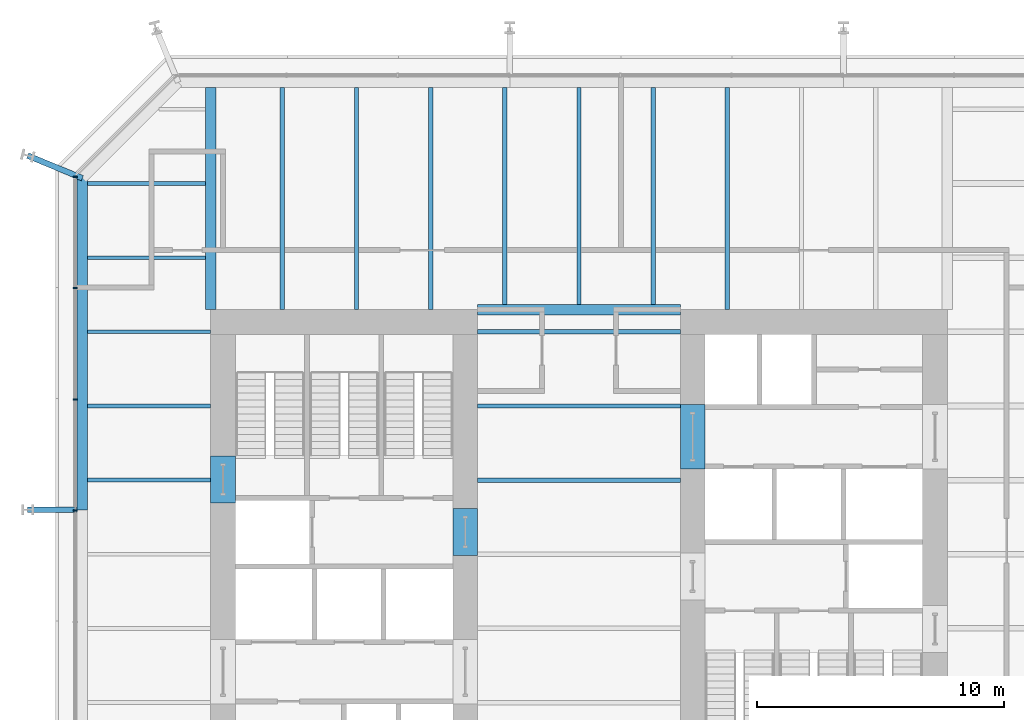
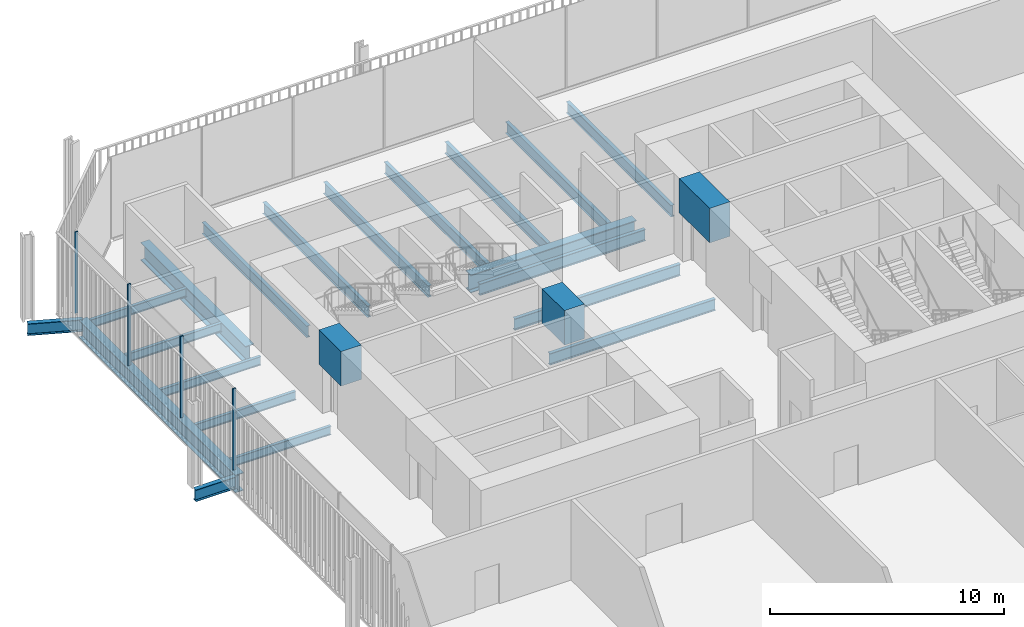
# One storey, part 11 of 20: 23 beams, 4 members, 1 element without a shape of its own.
"""IFC4 building model written with IfcOpenShell, lengths in metres."""

import ifcopenshell
import ifcopenshell.guid

model = None  # the IFC model being written
_history = None  # IfcOwnerHistory: only IFC2X3 demands one
_inside = {}  # id of a spatial element -> (the spatial element, [elements in it])
_under = {}  # id of a project, library or spatial element -> (it, [spatial elements below it])
_declared = {}  # id of a project -> (the project, [libraries it declares])
_typed = {}  # id of a type object -> (the type object, [elements of that type])
_made_of = {}  # id of a material, layer set ... -> (it, [elements and type objects made of it])


def new_model(schema):
    """Start an empty IFC model of exactly this schema.

    Asked for "IFC4X3", IfcOpenShell would pick the latest addendum, in which some entities
    have other attributes; the version numbers below select the first issue.
    IFC2X3 requires an IfcOwnerHistory on every rooted entity: one is made here for all.
    """
    global model, _history
    if schema == "IFC4X3":
        model = ifcopenshell.file(schema_version=(4, 3, 0, 0))
    else:
        model = ifcopenshell.file(schema=schema)
    _inside.clear()
    _under.clear()
    _declared.clear()
    _typed.clear()
    _made_of.clear()
    _history = None
    if model.schema == "IFC2X3":
        org = make("IfcOrganization", Name="unknown")
        user = make(
            "IfcPersonAndOrganization",
            ThePerson=make("IfcPerson", FamilyName="unknown"),
            TheOrganization=org,
        )
        app = make(
            "IfcApplication",
            ApplicationDeveloper=org,
            Version="unknown",
            ApplicationFullName="unknown",
            ApplicationIdentifier="unknown",
        )
        _history = make(
            "IfcOwnerHistory",
            OwningUser=user,
            OwningApplication=app,
            ChangeAction="ADDED",
            CreationDate=0,
        )
    return model


def make(cls, **values):
    """One entity of the class cls with the attributes given. An attribute that is None is left unset."""
    return model.create_entity(
        cls, **{name: value for name, value in values.items() if value is not None}
    )


def rooted(cls, **values):
    """An entity with a GlobalId (a new one), such as an element, a storey or a relation."""
    return make(cls, GlobalId=ifcopenshell.guid.new(), OwnerHistory=_history, **values)


def si_unit(unit_type, name, prefix=None):
    """IfcSIUnit, for example si_unit("LENGTHUNIT", "METRE", prefix="MILLI")."""
    return make("IfcSIUnit", UnitType=unit_type, Prefix=prefix, Name=name)


def assignment(units):
    """IfcUnitAssignment: the units of a project."""
    return None if units is None else make("IfcUnitAssignment", Units=units)


def point(xyz):
    """IfcCartesianPoint."""
    return None if xyz is None else make("IfcCartesianPoint", Coordinates=xyz)


def direction(xyz):
    """IfcDirection."""
    return None if xyz is None else make("IfcDirection", DirectionRatios=xyz)


def frame(location, z_axis=None, x_axis=None):
    """IfcAxis2Placement3D, a coordinate frame: its origin and axes. An axis left out is left unset."""
    return make(
        "IfcAxis2Placement3D",
        Location=point(location),
        Axis=direction(z_axis),
        RefDirection=direction(x_axis),
    )


def frame_2d(location, x_axis=None):
    """IfcAxis2Placement2D, a coordinate frame in the plane: its origin and x axis."""
    return make(
        "IfcAxis2Placement2D", Location=point(location), RefDirection=direction(x_axis)
    )


def origin():
    """The frame at (0, 0, 0) with its axes left unset."""
    return frame((0.0, 0.0, 0.0))


def origin_2d():
    """The frame at (0, 0) in the plane with its x axis left unset."""
    return frame_2d((0.0, 0.0))


def place(relative_to, where):
    """IfcLocalPlacement: puts the frame where relative to a parent placement (None: the world)."""
    return make(
        "IfcLocalPlacement", PlacementRelTo=relative_to, RelativePlacement=where
    )


def context(
    kind, dimensions, precision=None, world=None, true_north=None, identifier=None
):
    """IfcGeometricRepresentationContext, for example the 3D "Model" context."""
    return make(
        "IfcGeometricRepresentationContext",
        ContextIdentifier=identifier,
        ContextType=kind,
        CoordinateSpaceDimension=dimensions,
        Precision=precision,
        WorldCoordinateSystem=world,
        TrueNorth=true_north,
    )


def subcontext(parent, identifier, kind, view, scale=None):
    """IfcGeometricRepresentationSubContext, for example "Body" below "Model"."""
    return make(
        "IfcGeometricRepresentationSubContext",
        ContextIdentifier=identifier,
        ContextType=kind,
        ParentContext=parent,
        TargetScale=scale,
        TargetView=view,
    )


def project(units=None, contexts=None):
    """IfcProject with its units and contexts."""
    return rooted(
        "IfcProject",
        Name="project",
        RepresentationContexts=contexts,
        UnitsInContext=assignment(units),
    )


def spatial(cls, under=None, at=None, **own):
    """A site, building, storey or space (cls), placed at a placement, below another one or the project."""
    s = rooted(cls, ObjectPlacement=at, **own)
    if under is not None:
        _under.setdefault(under.id(), (under, []))[1].append(s)
    return s


def profile(cls, at=None, kind="AREA", **sizes):
    """A parametric profile (cls). Its sizes go by their IFC names, for example OverallWidth=200.0."""
    return make(cls, ProfileType=kind, Position=at, **sizes)


def rectangle(**sizes):
    """IfcRectangleProfileDef."""
    return profile("IfcRectangleProfileDef", **sizes)


def i_section(**sizes):
    """IfcIShapeProfileDef."""
    return profile("IfcIShapeProfileDef", **sizes)


def extrude(swept, where, along, depth):
    """IfcExtrudedAreaSolid: the profile swept, set in the frame where, extruded along a direction by depth."""
    return make(
        "IfcExtrudedAreaSolid",
        SweptArea=swept,
        Position=where,
        ExtrudedDirection=direction(along),
        Depth=depth,
    )


def shape(context_of_items, identifier, shape_type, items):
    """IfcShapeRepresentation: the items that make up one representation, for example the "Body"."""
    return make(
        "IfcShapeRepresentation",
        ContextOfItems=context_of_items,
        RepresentationIdentifier=identifier,
        RepresentationType=shape_type,
        Items=items,
    )


def material(Name=None, Category=None):
    """IfcMaterial."""
    return make("IfcMaterial", Name=Name, Category=Category)


def layer(
    of_material, thickness, ventilated=None, Name=None, Category=None, Priority=None
):
    """IfcMaterialLayer: one layer of a wall or slab, of a material (None: an air gap)."""
    return make(
        "IfcMaterialLayer",
        Material=of_material,
        LayerThickness=thickness,
        IsVentilated=ventilated,
        Name=Name,
        Category=Category,
        Priority=Priority,
    )


def layer_set(layers, Name=None):
    """IfcMaterialLayerSet."""
    return make("IfcMaterialLayerSet", MaterialLayers=layers, LayerSetName=Name)


def material_profile(
    of_material, cross_section, Name=None, Category=None, Priority=None
):
    """IfcMaterialProfile: a cross section and its material."""
    return make(
        "IfcMaterialProfile",
        Name=Name,
        Material=of_material,
        Profile=cross_section,
        Priority=Priority,
        Category=Category,
    )


def profile_set(profiles, Name=None, composite=None):
    """IfcMaterialProfileSet."""
    return make(
        "IfcMaterialProfileSet",
        Name=Name,
        MaterialProfiles=profiles,
        CompositeProfile=composite,
    )


def made_of(thing, what):
    """Note that an element or type object is made of a material, layer set ...; save() writes the relation."""
    if what is not None:
        _made_of.setdefault(what.id(), (what, []))[1].append(thing)
    return thing


def type_object(cls, material=None, **own):
    """A type object (cls), such as IfcWallType, which elements share."""
    return made_of(rooted(cls, **own), material)


def element(
    cls,
    number,
    at=None,
    inside=None,
    cuts=None,
    type_object=None,
    material=None,
    context=None,
    identifier="Body",
    shape_type=None,
    held_by="IfcProductDefinitionShape",
    body=None,
    shapes=None,
    **own,
):
    """One element of the class cls, such as IfcWall. Its Tag is "e" and its number.

    at: its placement. inside: the storey or other place that contains it. cuts: it is an
    opening in that element (IfcRelVoidsElement). A single representation is given by context,
    identifier, shape_type and body (its items); several are given by shapes. held_by: the class
    of the entity that holds the representations. save() writes the other relations.
    """
    e = rooted(cls, Tag="e%d" % number, ObjectPlacement=at, **own)
    if body is not None:
        shapes = [shape(context, identifier, shape_type, body)]
    if shapes is not None:
        e.Representation = make(held_by, Representations=shapes)
    if inside is not None:
        _inside.setdefault(inside.id(), (inside, []))[1].append(e)
    if cuts is not None:
        rooted(
            "IfcRelVoidsElement", RelatingBuildingElement=cuts, RelatedOpeningElement=e
        )
    if type_object is not None:
        _typed.setdefault(type_object.id(), (type_object, []))[1].append(e)
    return made_of(e, material)


def aggregate(whole, parts):
    """IfcRelAggregates: a whole, such as a stair, and the parts it consists of."""
    return rooted("IfcRelAggregates", RelatingObject=whole, RelatedObjects=parts)


def save(model, path):
    """Write the relations noted so far, then the file.

    IfcRelAggregates (storeys below a building ...), IfcRelContainedInSpatialStructure (elements
    in a storey), IfcRelDefinesByType, IfcRelAssociatesMaterial and IfcRelDeclares: one each for
    every whole, place, type object, material and project.
    """
    for whole, parts in _under.values():
        aggregate(whole, parts)
    for where, things in _inside.values():
        rooted(
            "IfcRelContainedInSpatialStructure",
            RelatedElements=things,
            RelatingStructure=where,
        )
    for kind, things in _typed.values():
        rooted("IfcRelDefinesByType", RelatedObjects=things, RelatingType=kind)
    for what, things in _made_of.values():
        rooted("IfcRelAssociatesMaterial", RelatedObjects=things, RelatingMaterial=what)
    for by, libraries in _declared.values():
        rooted("IfcRelDeclares", RelatingContext=by, RelatedDefinitions=libraries)
    model.write(path)


model = new_model("IFC4")

# Units and contexts
model_context = context("Model", 3, precision=1e-05, world=origin(), true_north=direction((0.0, 1.0)))
body_context = subcontext(model_context, "Body", "Model", "MODEL_VIEW")
ifc_project = project(units=[si_unit("LENGTHUNIT", "METRE"), si_unit("AREAUNIT", "SQUARE_METRE"), si_unit("VOLUMEUNIT", "CUBIC_METRE"), si_unit("PLANEANGLEUNIT", "RADIAN"), si_unit("MASSUNIT", "GRAM", prefix="KILO")], contexts=[model_context])

# Site, building, storey
site_placement = place(None, origin())
site = spatial("IfcSite", under=ifc_project, at=site_placement, CompositionType="ELEMENT")
building_placement = place(site_placement, origin())
building = spatial("IfcBuilding", under=site, at=building_placement, Name="Millrace Tower", CompositionType="ELEMENT")
storey_placement = place(building_placement, frame((0.0, 0.0, 99.60009765625)))
storey = spatial("IfcBuildingStorey", under=building, at=storey_placement, Name="L22", CompositionType="ELEMENT", Elevation=99.60009765625)

# Curtain wall, members
ifc_material_1 = material(Name="Aluminium and glass", Category="aluminium")
ifc_layer = layer(ifc_material_1, 0.14990234375)
ifc_layer_set = layer_set([ifc_layer], Name="Aluminium and glass")
curtain_wall_type = type_object("IfcCurtainWallType", Name="CW-3 telecom floor curtain wall", PredefinedType="NOTDEFINED", material=ifc_layer_set)
curtain_wall_placement = place(storey_placement, origin())
curtain_wall = element("IfcCurtainWall", 1, at=curtain_wall_placement, inside=storey, type_object=curtain_wall_type, Name="Curtain wall B-F08 L22", PredefinedType="NOTDEFINED")
ifc_material_2 = material(Name="Aluminium", Category="aluminium")
ifc_material_profile_1 = material_profile(ifc_material_2, rectangle(XDim=0.06494140625, YDim=0.14990234375, at=origin_2d()))
ifc_profile_set_1 = profile_set([ifc_material_profile_1], Name="Aluminium")
member_type = type_object("IfcMemberType", Name="CW-3 telecom floor curtain wall mullion", PredefinedType="MULLION", material=ifc_profile_set_1)
member_1_placement = place(storey_placement, frame((-20.375, 15.267578125, 0.14990234375), z_axis=(0.0, 0.0, 1.0), x_axis=(0.0, -1.0, 0.0)))
member_1 = element("IfcMember", 2, at=member_1_placement, type_object=member_type, Name="CW3 mullion B-F08.1", PredefinedType="MULLION", context=body_context, shape_type="SweptSolid", body=[
    extrude(rectangle(XDim=0.06494140625, YDim=0.14990234375, at=origin_2d()), origin(), (0.0, 0.0, 1.0), 4.25),
])
member_2_placement = place(storey_placement, frame((-20.375, 10.767578125, 0.14990234375), z_axis=(0.0, 0.0, 1.0), x_axis=(0.0, -1.0, 0.0)))
member_2 = element("IfcMember", 3, at=member_2_placement, type_object=member_type, Name="CW3 mullion B-F08.2", PredefinedType="MULLION", context=body_context, shape_type="SweptSolid", body=[
    extrude(rectangle(XDim=0.06494140625, YDim=0.14990234375, at=origin_2d()), origin(), (0.0, 0.0, 1.0), 4.25),
])
member_3_placement = place(storey_placement, frame((-20.375, 6.267578125, 0.14990234375), z_axis=(0.0, 0.0, 1.0), x_axis=(0.0, -1.0, 0.0)))
member_3 = element("IfcMember", 4, at=member_3_placement, type_object=member_type, Name="CW3 mullion B-F08.3", PredefinedType="MULLION", context=body_context, shape_type="SweptSolid", body=[
    extrude(rectangle(XDim=0.06494140625, YDim=0.14990234375, at=origin_2d()), origin(), (0.0, 0.0, 1.0), 4.25),
])
member_4_placement = place(storey_placement, frame((-20.375, 1.767578125, 0.14990234375), z_axis=(0.0, 0.0, 1.0), x_axis=(0.0, -1.0, 0.0)))
member_4 = element("IfcMember", 5, at=member_4_placement, type_object=member_type, Name="CW3 mullion B-F08.4", PredefinedType="MULLION", context=body_context, shape_type="SweptSolid", body=[
    extrude(rectangle(XDim=0.06494140625, YDim=0.14990234375, at=origin_2d()), origin(), (0.0, 0.0, 1.0), 4.25),
])
aggregate(curtain_wall, [member_1, member_2, member_3, member_4])

# Beams
ifc_material_3 = material(Name="Concrete C80", Category="concrete")
ifc_material_profile_2 = material_profile(ifc_material_3, rectangle(XDim=1.0, YDim=1.800048828125, at=origin_2d()))
ifc_profile_set_2 = profile_set([ifc_material_profile_2], Name="Concrete C80")
beam_type_1 = type_object("IfcBeamType", Name="Coupling beam 1000 x 1800 Concrete C80, 1300 opening", PredefinedType="BEAM", material=ifc_profile_set_2)
beam_1_placement = place(storey_placement, frame((-14.39990234375, 2.080078125, 3.2998046875), z_axis=(0.0, 1.0, 0.0), x_axis=(-1.0, 0.0, 0.0)))
element("IfcBeam", 6, at=beam_1_placement, inside=storey, type_object=beam_type_1, Name="Coupling beam W L22", PredefinedType="BEAM", context=body_context, shape_type="SweptSolid", body=[
    extrude(rectangle(XDim=1.0, YDim=1.800048828125, at=origin_2d()), origin(), (0.0, 0.0, 1.0), 1.89990234375),
])
beam_2_placement = place(storey_placement, frame((-4.60009765625, -0.050048828125, 3.2998046875), z_axis=(0.0, 1.0, 0.0), x_axis=(-1.0, 0.0, 0.0)))
element("IfcBeam", 7, at=beam_2_placement, inside=storey, type_object=beam_type_1, Name="Coupling beam W L22", PredefinedType="BEAM", context=body_context, shape_type="SweptSolid", body=[
    extrude(rectangle(XDim=1.0, YDim=1.800048828125, at=origin_2d()), origin(), (0.0, 0.0, 1.0), 1.900146484375),
])
ifc_material_4 = material(Name="Concrete C80", Category="concrete")
ifc_material_profile_3 = material_profile(ifc_material_4, rectangle(XDim=1.0, YDim=1.800048828125, at=origin_2d()))
ifc_profile_set_3 = profile_set([ifc_material_profile_3], Name="Concrete C80")
beam_type_2 = type_object("IfcBeamType", Name="Coupling beam 1000 x 1800 Concrete C80, 2000 opening", PredefinedType="BEAM", material=ifc_profile_set_3)
beam_3_placement = place(storey_placement, frame((4.60009765625, 6.050048828125, 3.2998046875), z_axis=(0.0, -1.0, 0.0), x_axis=(1.0, 0.0, 0.0)))
element("IfcBeam", 8, at=beam_3_placement, inside=storey, type_object=beam_type_2, Name="Coupling beam E L22", PredefinedType="BEAM", context=body_context, shape_type="SweptSolid", body=[
    extrude(rectangle(XDim=1.0, YDim=1.800048828125, at=origin_2d()), origin(), (0.0, 0.0, 1.0), 2.60009765625),
])
ifc_material_5 = material(Name="Steel ASTM A992 Grade 50", Category="steel")
ifc_material_profile_4 = material_profile(ifc_material_5, i_section(OverallWidth=0.15234375, OverallDepth=0.449462890625, WebThickness=0.007568359375, FlangeThickness=0.0107421875, FilletRadius=0.01025390625, at=origin_2d()))
ifc_profile_set_4 = profile_set([ifc_material_profile_4], Name="Steel ASTM A992 Grade 50")
beam_type_3 = type_object("IfcBeamType", Name="Floor beam W18x35", PredefinedType="JOIST", material=ifc_profile_set_4)
for number, where, z_axis, x_axis, name in (
    (9, (-19.880859375, 3.0, -0.4248046875), (1.0, 0.0, 0.0), (0.0, 1.0, 0.0), "BM-B-L22-S1-S026"),
    (10, (-19.880859375, 6.0, -0.4248046875), (1.0, 0.0, 0.0), (0.0, 1.0, 0.0), "BM-B-L22-S1-S029"),
    (11, (-19.880859375, 9.0, -0.4248046875), (1.0, 0.0, 0.0), (0.0, 1.0, 0.0), "BM-B-L22-S1-S032"),
):
    element("IfcBeam", number, at=place(storey_placement, frame(where, z_axis=z_axis, x_axis=x_axis)), inside=storey, type_object=beam_type_3, Name=name, PredefinedType="JOIST", context=body_context, shape_type="SweptSolid", body=[
        extrude(i_section(OverallWidth=0.15234375, OverallDepth=0.449462890625, WebThickness=0.007568359375, FlangeThickness=0.0107421875, FilletRadius=0.01025390625, at=origin_2d()), origin(), (0.0, 0.0, 1.0), 4.98095703125),
    ])
for number, where, z_axis, x_axis, name in (
    (12, (-19.880859375, 12.0, -0.4248046875), (1.0, 0.0, 0.0), (0.0, 1.0, 0.0), "BM-B-L22-S1-S034"),
    (13, (-19.880859375, 15.0, -0.4248046875), (1.0, 0.0, 0.0), (0.0, 1.0, 0.0), "BM-B-L22-S1-S036"),
):
    element("IfcBeam", number, at=place(storey_placement, frame(where, z_axis=z_axis, x_axis=x_axis)), inside=storey, type_object=beam_type_3, Name=name, PredefinedType="JOIST", context=body_context, shape_type="SweptSolid", body=[
        extrude(i_section(OverallWidth=0.15234375, OverallDepth=0.449462890625, WebThickness=0.007568359375, FlangeThickness=0.0107421875, FilletRadius=0.01025390625, at=origin_2d()), origin(), (0.0, 0.0, 1.0), 4.77001953125),
    ])
ifc_material_6 = material(Name="Steel ASTM A992 Grade 50", Category="steel")
ifc_material_profile_5 = material_profile(ifc_material_6, i_section(OverallWidth=0.177978515625, OverallDepth=0.599365234375, WebThickness=0.010009765625, FlangeThickness=0.012939453125, FilletRadius=0.012939453125, at=origin_2d()))
ifc_profile_set_5 = profile_set([ifc_material_profile_5], Name="Steel ASTM A992 Grade 50")
beam_type_4 = type_object("IfcBeamType", Name="Floor beam W24x55", PredefinedType="JOIST", material=ifc_profile_set_5)
for number, where, z_axis, x_axis, name in (
    (14, (-4.10009765625, 3.0, -0.499755859375), (1.0, 0.0, 0.0), (0.0, 1.0, 0.0), "BM-B-L22-S1-S025"),
    (15, (-4.10009765625, 6.0, -0.499755859375), (1.0, 0.0, 0.0), (0.0, 1.0, 0.0), "BM-B-L22-S1-S028"),
    (16, (-4.10009765625, 9.0, -0.499755859375), (1.0, 0.0, 0.0), (0.0, 1.0, 0.0), "BM-B-L22-S1-S031"),
):
    element("IfcBeam", number, at=place(storey_placement, frame(where, z_axis=z_axis, x_axis=x_axis)), inside=storey, type_object=beam_type_4, Name=name, PredefinedType="JOIST", context=body_context, shape_type="SweptSolid", body=[
        extrude(i_section(OverallWidth=0.177978515625, OverallDepth=0.599365234375, WebThickness=0.010009765625, FlangeThickness=0.012939453125, FilletRadius=0.012939453125, at=origin_2d()), origin(), (0.0, 0.0, 1.0), 8.2001953125),
    ])
for number, where, z_axis, x_axis, name in (
    (17, (-12.0, 9.89990234375, -0.499755859375), (0.0, 1.0, 0.0), (-1.0, 0.0, 0.0), "BM-B-L22-S1-S040"),
    (18, (-9.0, 9.89990234375, -0.499755859375), (0.0, 1.0, 0.0), (-1.0, 0.0, 0.0), "BM-B-L22-S1-S042"),
    (19, (-6.0, 9.89990234375, -0.499755859375), (0.0, 1.0, 0.0), (-1.0, 0.0, 0.0), "BM-B-L22-S1-S044"),
):
    element("IfcBeam", number, at=place(storey_placement, frame(where, z_axis=z_axis, x_axis=x_axis)), inside=storey, type_object=beam_type_4, Name=name, PredefinedType="JOIST", context=body_context, shape_type="SweptSolid", body=[
        extrude(i_section(OverallWidth=0.177978515625, OverallDepth=0.599365234375, WebThickness=0.010009765625, FlangeThickness=0.012939453125, FilletRadius=0.012939453125, at=origin_2d()), origin(), (0.0, 0.0, 1.0), 8.98095703125),
    ])
for number, where, z_axis, x_axis, name in (
    (20, (-3.0, 10.11083984375, -0.499755859375), (0.0, 1.0, 0.0), (-1.0, 0.0, 0.0), "BM-B-L22-S1-S046"),
    (21, (0.0, 10.11083984375, -0.499755859375), (0.0, 1.0, 0.0), (-1.0, 0.0, 0.0), "BM-B-L22-S1-S048"),
    (22, (3.0, 10.11083984375, -0.499755859375), (0.0, 1.0, 0.0), (-1.0, 0.0, 0.0), "BM-B-L22-S1-S050"),
):
    element("IfcBeam", number, at=place(storey_placement, frame(where, z_axis=z_axis, x_axis=x_axis)), inside=storey, type_object=beam_type_4, Name=name, PredefinedType="JOIST", context=body_context, shape_type="SweptSolid", body=[
        extrude(i_section(OverallWidth=0.177978515625, OverallDepth=0.599365234375, WebThickness=0.010009765625, FlangeThickness=0.012939453125, FilletRadius=0.012939453125, at=origin_2d()), origin(), (0.0, 0.0, 1.0), 8.77001953125),
    ])
beam_4_placement = place(storey_placement, frame((6.0, 9.89990234375, -0.499755859375), z_axis=(0.0, 1.0, 0.0), x_axis=(-1.0, 0.0, 0.0)))
element("IfcBeam", 23, at=beam_4_placement, inside=storey, type_object=beam_type_4, Name="BM-B-L22-S1-S052", PredefinedType="JOIST", context=body_context, shape_type="SweptSolid", body=[
    extrude(i_section(OverallWidth=0.177978515625, OverallDepth=0.599365234375, WebThickness=0.010009765625, FlangeThickness=0.012939453125, FilletRadius=0.012939453125, at=origin_2d()), origin(), (0.0, 0.0, 1.0), 8.98095703125),
])
ifc_material_7 = material(Name="Steel ASTM A992 Grade 50", Category="steel")
ifc_material_profile_6 = material_profile(ifc_material_7, i_section(OverallWidth=0.421630859375, OverallDepth=0.937255859375, WebThickness=0.021240234375, FlangeThickness=0.03662109375, FilletRadius=0.024169921875, at=origin_2d()))
ifc_profile_set_6 = profile_set([ifc_material_profile_6], Name="Steel ASTM A992 Grade 50")
beam_type_5 = type_object("IfcBeamType", Name="Girder short span W36x262", PredefinedType="BEAM", material=ifc_profile_set_6)
beam_5_placement = place(storey_placement, frame((-14.89990234375, 9.89990234375, -0.668701171875), z_axis=(0.0, 1.0, 0.0), x_axis=(-1.0, 0.0, 0.0)))
element("IfcBeam", 24, at=beam_5_placement, inside=storey, type_object=beam_type_5, Name="BM-B-L22-S1-G058", PredefinedType="BEAM", context=body_context, shape_type="SweptSolid", body=[
    extrude(i_section(OverallWidth=0.421630859375, OverallDepth=0.937255859375, WebThickness=0.021240234375, FlangeThickness=0.03662109375, FilletRadius=0.024169921875, at=origin_2d()), origin(), (0.0, 0.0, 1.0), 8.98095703125),
])
beam_6_placement = place(storey_placement, frame((-4.10009765625, 9.89990234375, -0.668701171875), z_axis=(1.0, 0.0, 0.0), x_axis=(0.0, 1.0, 0.0)))
element("IfcBeam", 25, at=beam_6_placement, inside=storey, type_object=beam_type_5, Name="BM-B-L22-S1-G062", PredefinedType="BEAM", context=body_context, shape_type="SweptSolid", body=[
    extrude(i_section(OverallWidth=0.421630859375, OverallDepth=0.937255859375, WebThickness=0.021240234375, FlangeThickness=0.03662109375, FilletRadius=0.024169921875, at=origin_2d()), origin(), (0.0, 0.0, 1.0), 8.2001953125),
])
ifc_material_8 = material(Name="Steel ASTM A992 Grade 50", Category="steel")
ifc_material_profile_7 = material_profile(ifc_material_8, i_section(OverallWidth=0.23046875, OverallDepth=0.6171875, WebThickness=0.01318359375, FlangeThickness=0.022216796875, FilletRadius=0.012939453125, at=origin_2d()))
ifc_profile_set_7 = profile_set([ifc_material_profile_7], Name="Steel ASTM A992 Grade 50")
beam_type_6 = type_object("IfcBeamType", Name="Link beam W24x94", PredefinedType="BEAM", material=ifc_profile_set_7)
beam_7_placement = place(storey_placement, frame((-20.300048828125, 1.800048828125, -0.5087890625), z_axis=(-1.0, 0.0, 0.0), x_axis=(0.0, -1.0, 0.0)))
element("IfcBeam", 26, at=beam_7_placement, inside=storey, type_object=beam_type_6, Name="LNK-B-L22-S1-03", PredefinedType="BEAM", context=body_context, shape_type="SweptSolid", body=[
    extrude(i_section(OverallWidth=0.23046875, OverallDepth=0.6171875, WebThickness=0.01318359375, FlangeThickness=0.022216796875, FilletRadius=0.012939453125, at=origin_2d()), origin(), (0.0, 0.0, 1.0), 2.0),
])
beam_8_placement = place(storey_placement, frame((-20.09033203125, 15.213134765625, -0.5087890625), z_axis=(-0.923881226989, 0.382679341507, 0.0), x_axis=(-0.382679341507, -0.923881226989, 0.0)))
element("IfcBeam", 27, at=beam_8_placement, inside=storey, type_object=beam_type_6, Name="LNK-B-L22-S1-04", PredefinedType="BEAM", context=body_context, shape_type="SweptSolid", body=[
    extrude(i_section(OverallWidth=0.23046875, OverallDepth=0.6171875, WebThickness=0.01318359375, FlangeThickness=0.022216796875, FilletRadius=0.012939453125, at=origin_2d()), origin(), (0.0, 0.0, 1.0), 2.391845703125),
])
ifc_material_9 = material(Name="Steel ASTM A992 Grade 50", Category="steel")
ifc_material_profile_8 = material_profile(ifc_material_9, i_section(OverallWidth=0.419189453125, OverallDepth=0.927001953125, WebThickness=0.019287109375, FlangeThickness=0.031982421875, FilletRadius=0.024169921875, at=origin_2d()))
ifc_profile_set_8 = profile_set([ifc_material_profile_8], Name="Steel ASTM A992 Grade 50")
beam_type_7 = type_object("IfcBeamType", Name="Ring beam medium span W36x231", PredefinedType="SPANDREL", material=ifc_profile_set_8)
beam_9_placement = place(storey_placement, frame((-20.09033203125, 1.800048828125, -0.66357421875), z_axis=(0.0, 1.0, 0.0), x_axis=(-1.0, 0.0, 0.0)))
element("IfcBeam", 28, at=beam_9_placement, inside=storey, type_object=beam_type_7, Name="RNG-B-L22-S1-03", PredefinedType="SPANDREL", context=body_context, shape_type="SweptSolid", body=[
    extrude(i_section(OverallWidth=0.419189453125, OverallDepth=0.927001953125, WebThickness=0.019287109375, FlangeThickness=0.031982421875, FilletRadius=0.024169921875, at=origin_2d()), origin(), (0.0, 0.0, 1.0), 13.4130859375),
])

save(model, "model.ifc")
